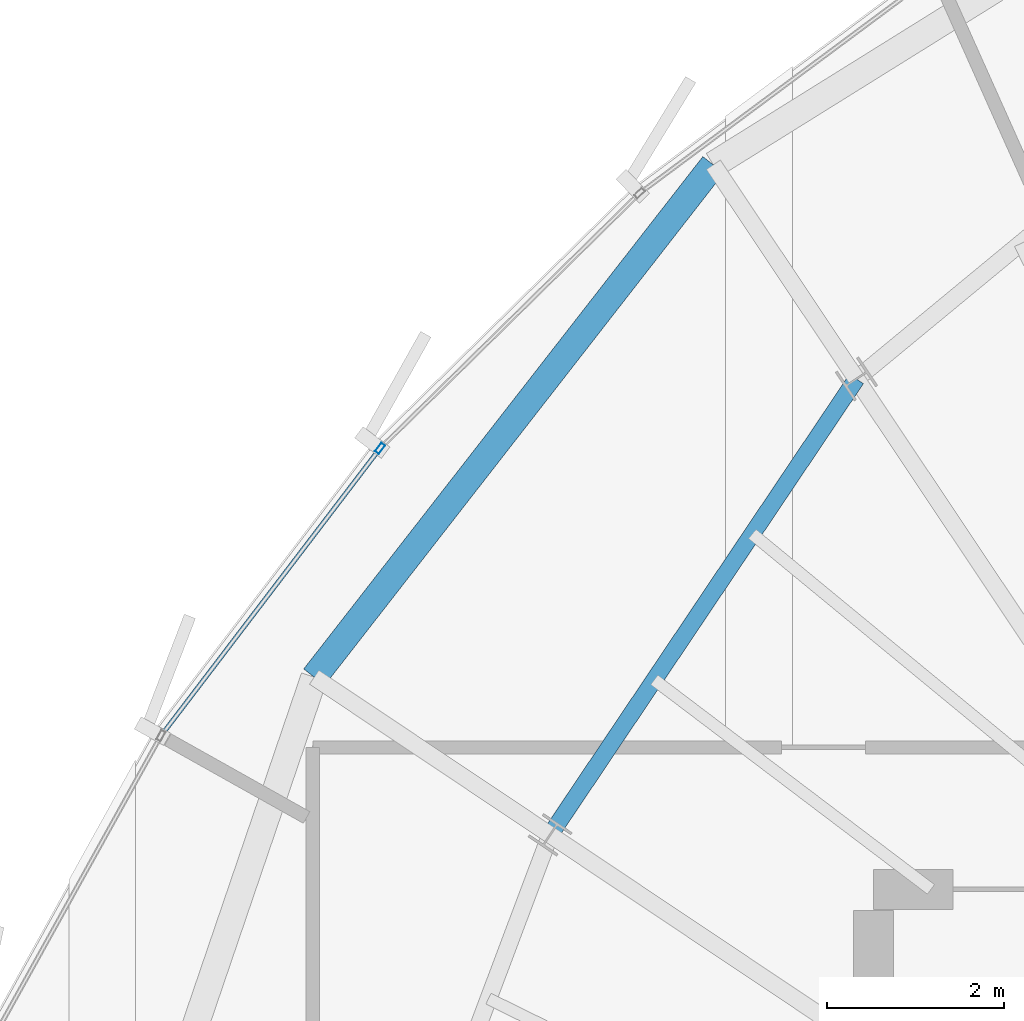
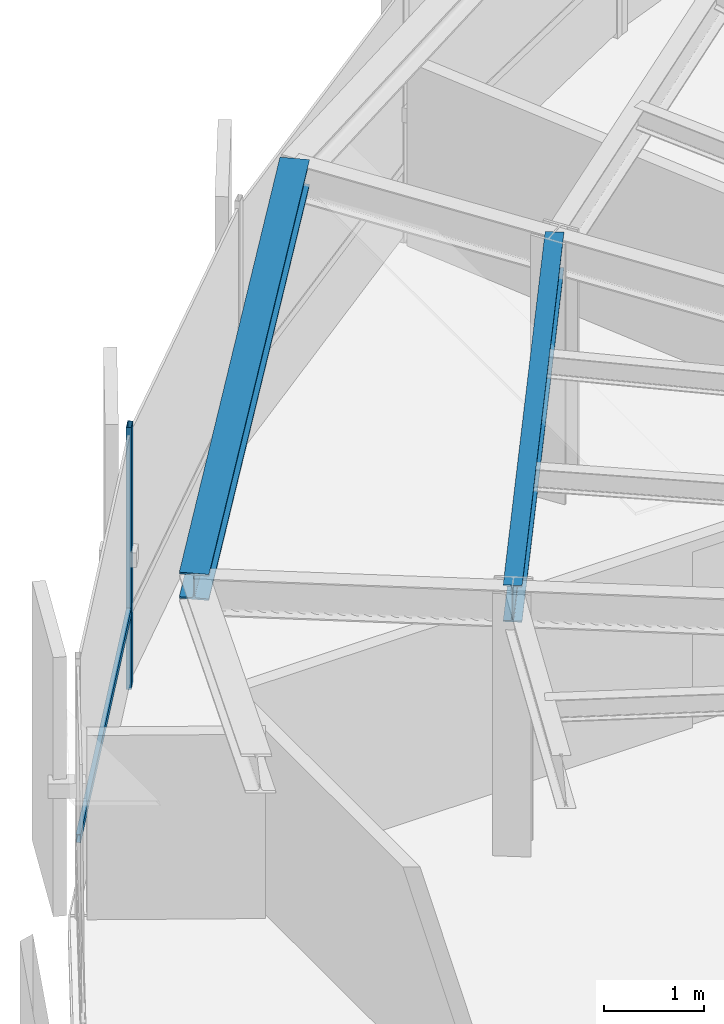
# One storey, part 18 of 34: 2 beams, 2 members, 1 element without a shape of its own.
"""IFC4 building model written with IfcOpenShell, lengths in metres."""

from ifc_helpers import new_model, si_unit, direction, frame, origin, origin_2d, place, context, subcontext, project, spatial, hollow_rectangle, i_section, extrude, source, transform, mapped, material, layer, layer_set, material_profile, profile_set, type_object, element, aggregate, save


model = new_model("IFC4")

# Units and contexts
model_context = context("Model", 3, precision=1e-05, world=origin(), true_north=direction((0.0, 1.0)))
body_context = subcontext(model_context, "Body", "Model", "MODEL_VIEW")
ifc_project = project(units=[si_unit("LENGTHUNIT", "METRE"), si_unit("AREAUNIT", "SQUARE_METRE"), si_unit("VOLUMEUNIT", "CUBIC_METRE"), si_unit("PLANEANGLEUNIT", "RADIAN"), si_unit("MASSUNIT", "GRAM", prefix="KILO"), si_unit("THERMODYNAMICTEMPERATUREUNIT", "KELVIN")], contexts=[model_context])

# Site, building, storey
site_placement = place(None, origin())
site = spatial("IfcSite", under=ifc_project, at=site_placement, CompositionType="ELEMENT")
building_placement = place(site_placement, origin())
building = spatial("IfcBuilding", under=site, at=building_placement, Name="Kethvar Cultural Tower", CompositionType="ELEMENT")
storey_placement = place(building_placement, frame((0.0, 0.0, 231.85009765625)))
storey = spatial("IfcBuildingStorey", under=building, at=storey_placement, Name="L60", CompositionType="ELEMENT", Elevation=231.85009765625)

# Beams
ifc_material_1 = material(Name="Steel S355J2", Category="steel")
ifc_material_profile_1 = material_profile(ifc_material_1, i_section(OverallWidth=0.18994140625, OverallDepth=0.449951171875, WebThickness=0.009521484375, FlangeThickness=0.0146484375, FilletRadius=0.02099609375, at=origin_2d()), Name="Steel S355J2 — IPE450")
ifc_profile_set_1 = profile_set([ifc_material_profile_1], Name="Steel S355J2 — IPE450")
beam_type_1 = type_object("IfcBeamType", Name="BM-IPE450", PredefinedType="BEAM", material=ifc_profile_set_1)
shared_shape_1 = source(origin(), body_context, "Body", "SweptSolid", [
    extrude(i_section(OverallWidth=0.18994140625, OverallDepth=0.449951171875, WebThickness=0.009521484375, FlangeThickness=0.0146484375, FilletRadius=0.02099609375, at=origin_2d()), origin(), (0.0, 0.0, 1.0), 6.192626953125),
])
beam_1_placement = place(storey_placement, frame((37.8095703125, 41.255126953125, 2.98291015625), z_axis=(-0.557698912025, -0.830043326295, 0.0), x_axis=(0.830043326295, -0.557698912025, 0.0)))
element("IfcBeam", 1, at=beam_1_placement, inside=storey, type_object=beam_type_1, Name="L60 Column Ring Tie Beam CR-06", PredefinedType="BEAM", context=body_context, shape_type="MappedRepresentation", body=[
    mapped(shared_shape_1, transform((0.0, 0.0, 0.0), scale=1.0)),
])
ifc_material_profile_2 = material_profile(ifc_material_1, i_section(OverallWidth=0.300048828125, OverallDepth=0.320068359375, WebThickness=0.011474609375, FlangeThickness=0.0205078125, FilletRadius=0.027099609375, at=origin_2d()), Name="Steel S355J2 — HEB320")
ifc_profile_set_2 = profile_set([ifc_material_profile_2], Name="Steel S355J2 — HEB320")
beam_type_2 = type_object("IfcBeamType", Name="BM-SP320", PredefinedType="SPANDREL", material=ifc_profile_set_2)
shared_shape_2 = source(origin(), body_context, "Body", "SweptSolid", [
    extrude(i_section(OverallWidth=0.300048828125, OverallDepth=0.320068359375, WebThickness=0.011474609375, FlangeThickness=0.0205078125, FilletRadius=0.027099609375, at=origin_2d()), origin(), (0.0, 0.0, 1.0), 7.323486328125),
])
beam_2_placement = place(storey_placement, frame((36.196044921875, 43.669921875, 3.0478515625), z_axis=(-0.614556637077, -0.788872701914, 0.0), x_axis=(0.788872701914, -0.614556637077, 0.0)))
element("IfcBeam", 2, at=beam_2_placement, inside=storey, type_object=beam_type_2, Name="L60 Perimeter Spandrel Beam SP-06", PredefinedType="SPANDREL", context=body_context, shape_type="MappedRepresentation", body=[
    mapped(shared_shape_2, transform((0.0, 0.0, 0.0), scale=1.0)),
])

# Curtain wall, members
ifc_material_2 = material(Name="Aluminium 6063-T6", Category="aluminium")
ifc_layer = layer(ifc_material_2, 0.179931640625, Name="Aluminium 6063-T6", Category="aluminium")
ifc_layer_set = layer_set([ifc_layer], Name="Aluminium 6063-T6 (180 mm)")
curtain_wall_type = type_object("IfcCurtainWallType", Name="CW-SYS-05-Z56", PredefinedType="NOTDEFINED", material=ifc_layer_set)
curtain_wall_placement = place(storey_placement, origin())
curtain_wall = element("IfcCurtainWall", 3, at=curtain_wall_placement, inside=storey, type_object=curtain_wall_type, Name="L60 Curtain Wall Run 02", PredefinedType="NOTDEFINED")
ifc_material_profile_3 = material_profile(ifc_material_2, hollow_rectangle(XDim=0.054931640625, YDim=0.1201171875, WallThickness=0.00390625, at=origin_2d()), Name="Aluminium 6063-T6 — RHS120x55x4")
ifc_profile_set_3 = profile_set([ifc_material_profile_3], Name="Aluminium 6063-T6 — RHS120x55x4")
member_type_1 = type_object("IfcMemberType", Name="CW-SYS-05-Z56-MUL", PredefinedType="MULLION", material=ifc_profile_set_3)
shared_shape_3 = source(origin(), body_context, "Body", "SweptSolid", [
    extrude(hollow_rectangle(XDim=0.054931640625, YDim=0.1201171875, WallThickness=0.00390625, at=origin_2d()), origin(), (0.0, 0.0, 1.0), 3.2099609375),
])
member_1_placement = place(storey_placement, frame((32.437255859375, 40.471923828125, 0.0), z_axis=(0.0, 0.0, 1.0), x_axis=(0.795484057227, -0.605974516542, 0.0)))
member_1 = element("IfcMember", 4, at=member_1_placement, type_object=member_type_1, Name="CW-L60-R02 Mullion 4", PredefinedType="MULLION", context=body_context, shape_type="MappedRepresentation", body=[
    mapped(shared_shape_3, transform((0.0, 0.0, 0.0), scale=1.0)),
])
ifc_material_profile_4 = material_profile(ifc_material_2, hollow_rectangle(XDim=0.050048828125, YDim=0.10009765625, WallThickness=0.00390625, at=origin_2d()), Name="Aluminium 6063-T6 — RHS100x50x4")
ifc_profile_set_4 = profile_set([ifc_material_profile_4], Name="Aluminium 6063-T6 — RHS100x50x4")
member_type_2 = type_object("IfcMemberType", Name="CW-SYS-05-Z56-TRN", PredefinedType="USERDEFINED", material=ifc_profile_set_4)
shared_shape_4 = source(origin(), body_context, "Body", "SweptSolid", [
    extrude(hollow_rectangle(XDim=0.050048828125, YDim=0.10009765625, WallThickness=0.00390625, at=origin_2d()), origin(), (0.0, 0.0, 1.0), 4.009765625),
])
member_2_placement = place(storey_placement, frame((32.413330078125, 40.4404296875, 0.949951171875), z_axis=(-0.605955155769, -0.795498805277, 0.0), x_axis=(0.795498805277, -0.605955155769, 0.0)))
member_2 = element("IfcMember", 5, at=member_2_placement, type_object=member_type_2, Name="CW-L60-R02 Transom 4", ObjectType="TRANSOM", PredefinedType="USERDEFINED", context=body_context, shape_type="MappedRepresentation", body=[
    mapped(shared_shape_4, transform((0.0, 0.0, 0.0), scale=1.0)),
])
aggregate(curtain_wall, [member_1, member_2])

save(model, "model.ifc")
